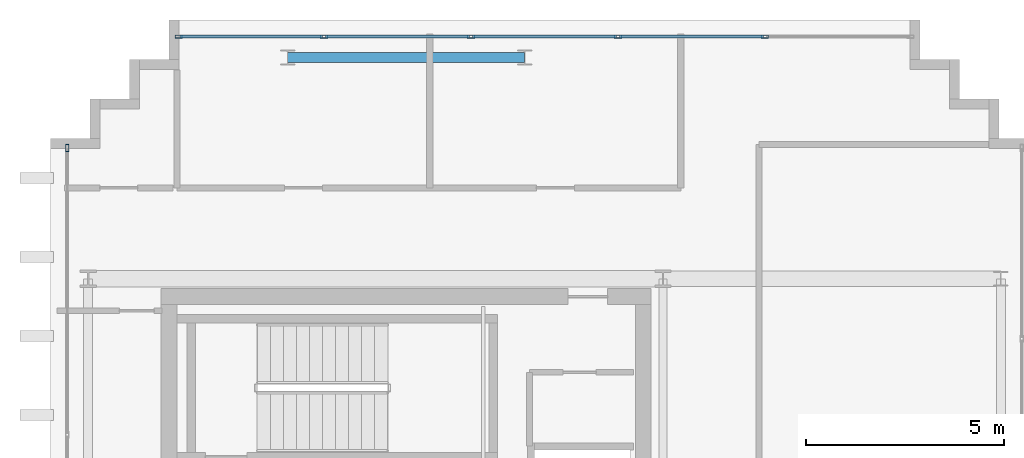
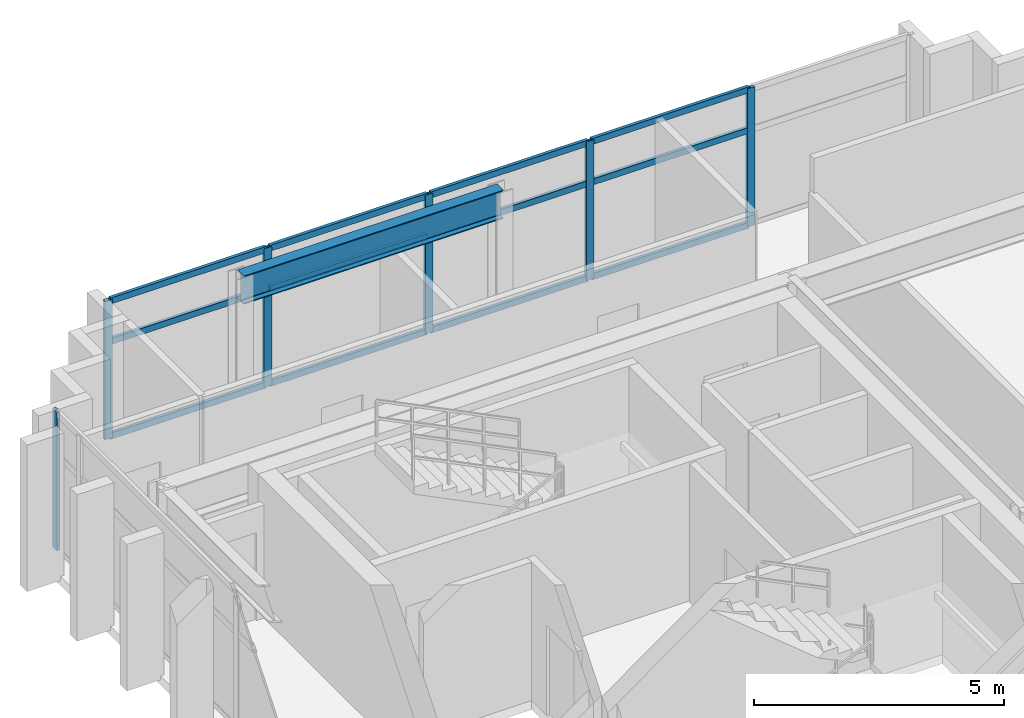
# One storey, part 9 of 15: 18 members, 1 beam, 2 elements without a shape of their own.
"""IFC4 building model written with IfcOpenShell, lengths in metres."""

from ifc_helpers import new_model, si_unit, direction, frame, origin, origin_2d, place, context, subcontext, project, spatial, hollow_rectangle, i_section, extrude, source, transform, mapped, material, layer, layer_set, material_profile, profile_set, type_object, element, aggregate, save


model = new_model("IFC4")

# Units and contexts
model_context = context("Model", 3, precision=1e-05, world=origin(), true_north=direction((0.0, 1.0)))
body_context = subcontext(model_context, "Body", "Model", "MODEL_VIEW")
ifc_project = project(units=[si_unit("LENGTHUNIT", "METRE"), si_unit("AREAUNIT", "SQUARE_METRE"), si_unit("VOLUMEUNIT", "CUBIC_METRE"), si_unit("PLANEANGLEUNIT", "RADIAN"), si_unit("MASSUNIT", "GRAM", prefix="KILO")], contexts=[model_context])

# Site, building, storey
site_placement = place(None, origin())
site = spatial("IfcSite", under=ifc_project, at=site_placement, CompositionType="ELEMENT")
building_placement = place(site_placement, origin())
building = spatial("IfcBuilding", under=site, at=building_placement, Name="Ocotamira Hotel", CompositionType="ELEMENT")
storey_placement = place(building_placement, frame((0.0, 0.0, 294.0)))
storey = spatial("IfcBuildingStorey", under=building, at=storey_placement, Name="L75", CompositionType="ELEMENT", Elevation=294.0)

# Beam
ifc_material_1 = material(Name="Steel ASTM A992 Grade 50", Category="steel")
ifc_material_profile_1 = material_profile(ifc_material_1, i_section(OverallWidth=0.256103515625, OverallDepth=0.693115234375, WebThickness=0.014404296875, FlangeThickness=0.023681640625, FilletRadius=0.01611328125, at=origin_2d()), Name="W27X114")
ifc_profile_set_1 = profile_set([ifc_material_profile_1], Name="Steel ASTM A992 Grade 50")
beam_type = type_object("IfcBeamType", Name="BM-PRIM-W27X114", PredefinedType="BEAM", material=ifc_profile_set_1)
shared_shape_1 = source(origin(), body_context, "Body", "SweptSolid", [
    extrude(i_section(OverallWidth=0.256103515625, OverallDepth=0.693115234375, WebThickness=0.014404296875, FlangeThickness=0.023681640625, FilletRadius=0.01611328125, at=origin_2d()), origin(), (0.0, 0.0, 1.0), 6.0),
])
beam_placement = place(storey_placement, frame((14.0, 43.050048828125, 3.033447265625), z_axis=(1.0, 0.0, 0.0), x_axis=(0.0, 1.0, 0.0)))
element("IfcBeam", 1, at=beam_placement, inside=storey, type_object=beam_type, Name="L75 Girder Y43.05 X14-20", PredefinedType="BEAM", context=body_context, shape_type="MappedRepresentation", body=[
    mapped(shared_shape_1, transform((0.0, 0.0, 0.0), scale=1.0)),
])

# Curtain wall, members
ifc_material_2 = material(Name="Anodised pale-metal aluminium and solar glass", Category="aluminium")
ifc_layer = layer(ifc_material_2, 0.2099609375)
ifc_layer_set = layer_set([ifc_layer], Name="Anodised pale-metal aluminium and solar glass")
curtain_wall_type = type_object("IfcCurtainWallType", Name="CW-SYS7-PEAK", PredefinedType="NOTDEFINED", material=ifc_layer_set)
curtain_wall_1_placement = place(storey_placement, origin())
curtain_wall_1 = element("IfcCurtainWall", 2, at=curtain_wall_1_placement, inside=storey, type_object=curtain_wall_type, Name="L75 Curtain Wall CW-7 CW-L75-N", PredefinedType="NOTDEFINED")
ifc_material_3 = material(Name="Anodised pale-metal aluminium 6063-T6", Category="aluminium")
ifc_material_profile_2 = material_profile(ifc_material_3, hollow_rectangle(XDim=0.080078125, YDim=0.179931640625, WallThickness=0.006103515625, at=origin_2d()), Name="HSS180X80X6")
ifc_profile_set_2 = profile_set([ifc_material_profile_2], Name="Anodised pale-metal aluminium 6063-T6")
member_type_1 = type_object("IfcMemberType", Name="CWM-180X75", PredefinedType="MULLION", material=ifc_profile_set_2)
shared_shape_2 = source(origin(), body_context, "Body", "SweptSolid", [
    extrude(hollow_rectangle(XDim=0.080078125, YDim=0.179931640625, WallThickness=0.006103515625, at=origin_2d()), origin(), (0.0, 0.0, 1.0), 3.3798828125),
])
member_1_placement = place(storey_placement, frame((11.239990234375, 43.580078125, 0.0), z_axis=(0.0, 0.0, 1.0), x_axis=(0.0, 1.0, 0.0)))
member_1 = element("IfcMember", 3, at=member_1_placement, type_object=member_type_1, Name="CW-7 mullion 1", PredefinedType="MULLION", context=body_context, shape_type="MappedRepresentation", body=[
    mapped(shared_shape_2, transform((0.0, 0.0, 0.0), scale=1.0)),
])
member_2_placement = place(storey_placement, frame((14.919921875, 43.580078125, 0.0), z_axis=(0.0, 0.0, 1.0), x_axis=(0.0, 1.0, 0.0)))
member_2 = element("IfcMember", 4, at=member_2_placement, type_object=member_type_1, Name="CW-7 mullion 2", PredefinedType="MULLION", context=body_context, shape_type="MappedRepresentation", body=[
    mapped(shared_shape_2, transform((0.0, 0.0, 0.0), scale=1.0)),
])
member_3_placement = place(storey_placement, frame((18.639892578125, 43.580078125, 0.0), z_axis=(0.0, 0.0, 1.0), x_axis=(0.0, 1.0, 0.0)))
member_3 = element("IfcMember", 5, at=member_3_placement, type_object=member_type_1, Name="CW-7 mullion 3", PredefinedType="MULLION", context=body_context, shape_type="MappedRepresentation", body=[
    mapped(shared_shape_2, transform((0.0, 0.0, 0.0), scale=1.0)),
])
member_4_placement = place(storey_placement, frame((22.360107421875, 43.580078125, 0.0), z_axis=(0.0, 0.0, 1.0), x_axis=(0.0, 1.0, 0.0)))
member_4 = element("IfcMember", 6, at=member_4_placement, type_object=member_type_1, Name="CW-7 mullion 4", PredefinedType="MULLION", context=body_context, shape_type="MappedRepresentation", body=[
    mapped(shared_shape_2, transform((0.0, 0.0, 0.0), scale=1.0)),
])
member_5_placement = place(storey_placement, frame((26.080078125, 43.580078125, 0.0), z_axis=(0.0, 0.0, 1.0), x_axis=(0.0, 1.0, 0.0)))
member_5 = element("IfcMember", 7, at=member_5_placement, type_object=member_type_1, Name="CW-7 mullion 5", PredefinedType="MULLION", context=body_context, shape_type="MappedRepresentation", body=[
    mapped(shared_shape_2, transform((0.0, 0.0, 0.0), scale=1.0)),
])

# Curtain wall, member
curtain_wall_2_placement = place(storey_placement, origin())
curtain_wall_2 = element("IfcCurtainWall", 8, at=curtain_wall_2_placement, inside=storey, type_object=curtain_wall_type, Name="L75 Curtain Wall CW-7 CW-L75-W2", PredefinedType="NOTDEFINED")
member_6_placement = place(storey_placement, frame((8.419921875, 40.760009765625, 0.0), z_axis=(0.0, 0.0, 1.0), x_axis=(-1.0, 0.0, 0.0)))
member_6 = element("IfcMember", 9, at=member_6_placement, type_object=member_type_1, Name="CW-7 mullion 3", PredefinedType="MULLION", context=body_context, shape_type="MappedRepresentation", body=[
    mapped(shared_shape_2, transform((0.0, 0.0, 0.0), scale=1.0)),
])
aggregate(curtain_wall_2, [member_6])

# Member
ifc_material_profile_3 = material_profile(ifc_material_3, hollow_rectangle(XDim=0.074951171875, YDim=0.14990234375, WallThickness=0.006103515625, at=origin_2d()), Name="HSS150X75X6")
ifc_profile_set_3 = profile_set([ifc_material_profile_3], Name="Anodised pale-metal aluminium 6063-T6")
member_type_2 = type_object("IfcMemberType", Name="CWT-150X75", PredefinedType="USERDEFINED", material=ifc_profile_set_3)
shared_shape_3 = source(origin(), body_context, "Body", "SweptSolid", [
    extrude(hollow_rectangle(XDim=0.074951171875, YDim=0.14990234375, WallThickness=0.006103515625, at=origin_2d()), origin(), (0.0, 0.0, 1.0), 3.599853515625),
])
member_7_placement = place(storey_placement, frame((11.280029296875, 43.580078125, 0.03759765625), z_axis=(1.0, 0.0, 0.0), x_axis=(0.0, 1.0, 0.0)))
member_7 = element("IfcMember", 10, at=member_7_placement, type_object=member_type_2, Name="CW-7 transom 1.1", ObjectType="TRANSOM", PredefinedType="USERDEFINED", context=body_context, shape_type="MappedRepresentation", body=[
    mapped(shared_shape_3, transform((0.0, 0.0, 0.0), scale=1.0)),
])

member_8_placement = place(storey_placement, frame((11.280029296875, 43.580078125, 2.35009765625), z_axis=(1.0, 0.0, 0.0), x_axis=(0.0, 1.0, 0.0)))
member_8 = element("IfcMember", 11, at=member_8_placement, type_object=member_type_2, Name="CW-7 transom 1.2", ObjectType="TRANSOM", PredefinedType="USERDEFINED", context=body_context, shape_type="MappedRepresentation", body=[
    mapped(shared_shape_3, transform((0.0, 0.0, 0.0), scale=1.0)),
])

member_9_placement = place(storey_placement, frame((11.280029296875, 43.580078125, 3.342529296875), z_axis=(1.0, 0.0, 0.0), x_axis=(0.0, 1.0, 0.0)))
member_9 = element("IfcMember", 12, at=member_9_placement, type_object=member_type_2, Name="CW-7 transom 1.3", ObjectType="TRANSOM", PredefinedType="USERDEFINED", context=body_context, shape_type="MappedRepresentation", body=[
    mapped(shared_shape_3, transform((0.0, 0.0, 0.0), scale=1.0)),
])

shared_shape_4 = source(origin(), body_context, "Body", "SweptSolid", [
    extrude(hollow_rectangle(XDim=0.074951171875, YDim=0.14990234375, WallThickness=0.006103515625, at=origin_2d()), origin(), (0.0, 0.0, 1.0), 3.64013671875),
])
member_10_placement = place(storey_placement, frame((14.9599609375, 43.580078125, 0.03759765625), z_axis=(1.0, 0.0, 0.0), x_axis=(0.0, 1.0, 0.0)))
member_10 = element("IfcMember", 13, at=member_10_placement, type_object=member_type_2, Name="CW-7 transom 2.1", ObjectType="TRANSOM", PredefinedType="USERDEFINED", context=body_context, shape_type="MappedRepresentation", body=[
    mapped(shared_shape_4, transform((0.0, 0.0, 0.0), scale=1.0)),
])

member_11_placement = place(storey_placement, frame((14.9599609375, 43.580078125, 2.35009765625), z_axis=(1.0, 0.0, 0.0), x_axis=(0.0, 1.0, 0.0)))
member_11 = element("IfcMember", 14, at=member_11_placement, type_object=member_type_2, Name="CW-7 transom 2.2", ObjectType="TRANSOM", PredefinedType="USERDEFINED", context=body_context, shape_type="MappedRepresentation", body=[
    mapped(shared_shape_4, transform((0.0, 0.0, 0.0), scale=1.0)),
])

member_12_placement = place(storey_placement, frame((14.9599609375, 43.580078125, 3.342529296875), z_axis=(1.0, 0.0, 0.0), x_axis=(0.0, 1.0, 0.0)))
member_12 = element("IfcMember", 15, at=member_12_placement, type_object=member_type_2, Name="CW-7 transom 2.3", ObjectType="TRANSOM", PredefinedType="USERDEFINED", context=body_context, shape_type="MappedRepresentation", body=[
    mapped(shared_shape_4, transform((0.0, 0.0, 0.0), scale=1.0)),
])

member_13_placement = place(storey_placement, frame((18.679931640625, 43.580078125, 0.03759765625), z_axis=(1.0, 0.0, 0.0), x_axis=(0.0, 1.0, 0.0)))
member_13 = element("IfcMember", 16, at=member_13_placement, type_object=member_type_2, Name="CW-7 transom 3.1", ObjectType="TRANSOM", PredefinedType="USERDEFINED", context=body_context, shape_type="MappedRepresentation", body=[
    mapped(shared_shape_4, transform((0.0, 0.0, 0.0), scale=1.0)),
])

member_14_placement = place(storey_placement, frame((18.679931640625, 43.580078125, 2.35009765625), z_axis=(1.0, 0.0, 0.0), x_axis=(0.0, 1.0, 0.0)))
member_14 = element("IfcMember", 17, at=member_14_placement, type_object=member_type_2, Name="CW-7 transom 3.2", ObjectType="TRANSOM", PredefinedType="USERDEFINED", context=body_context, shape_type="MappedRepresentation", body=[
    mapped(shared_shape_4, transform((0.0, 0.0, 0.0), scale=1.0)),
])

member_15_placement = place(storey_placement, frame((18.679931640625, 43.580078125, 3.342529296875), z_axis=(1.0, 0.0, 0.0), x_axis=(0.0, 1.0, 0.0)))
member_15 = element("IfcMember", 18, at=member_15_placement, type_object=member_type_2, Name="CW-7 transom 3.3", ObjectType="TRANSOM", PredefinedType="USERDEFINED", context=body_context, shape_type="MappedRepresentation", body=[
    mapped(shared_shape_4, transform((0.0, 0.0, 0.0), scale=1.0)),
])

member_16_placement = place(storey_placement, frame((22.39990234375, 43.580078125, 0.03759765625), z_axis=(1.0, 0.0, 0.0), x_axis=(0.0, 1.0, 0.0)))
member_16 = element("IfcMember", 19, at=member_16_placement, type_object=member_type_2, Name="CW-7 transom 4.1", ObjectType="TRANSOM", PredefinedType="USERDEFINED", context=body_context, shape_type="MappedRepresentation", body=[
    mapped(shared_shape_4, transform((0.0, 0.0, 0.0), scale=1.0)),
])

member_17_placement = place(storey_placement, frame((22.39990234375, 43.580078125, 2.35009765625), z_axis=(1.0, 0.0, 0.0), x_axis=(0.0, 1.0, 0.0)))
member_17 = element("IfcMember", 20, at=member_17_placement, type_object=member_type_2, Name="CW-7 transom 4.2", ObjectType="TRANSOM", PredefinedType="USERDEFINED", context=body_context, shape_type="MappedRepresentation", body=[
    mapped(shared_shape_4, transform((0.0, 0.0, 0.0), scale=1.0)),
])

member_18_placement = place(storey_placement, frame((22.39990234375, 43.580078125, 3.342529296875), z_axis=(1.0, 0.0, 0.0), x_axis=(0.0, 1.0, 0.0)))
member_18 = element("IfcMember", 21, at=member_18_placement, type_object=member_type_2, Name="CW-7 transom 4.3", ObjectType="TRANSOM", PredefinedType="USERDEFINED", context=body_context, shape_type="MappedRepresentation", body=[
    mapped(shared_shape_4, transform((0.0, 0.0, 0.0), scale=1.0)),
])

aggregate(curtain_wall_1, [member_1, member_2, member_3, member_4, member_5, member_7, member_8, member_9, member_10, member_11, member_12, member_13, member_14, member_15, member_16, member_17, member_18])

save(model, "model.ifc")
